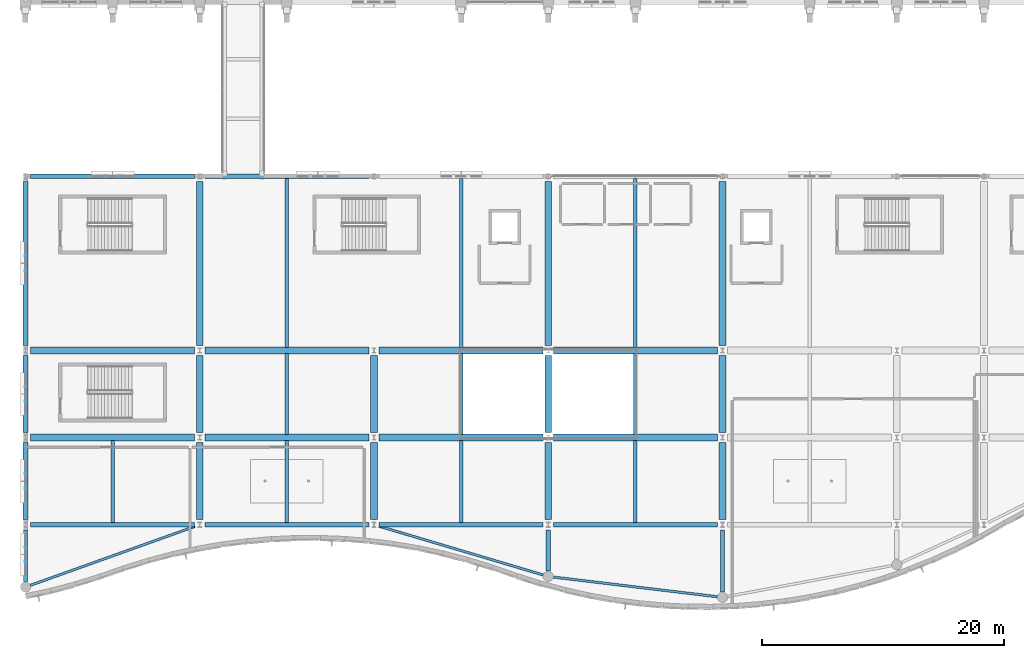
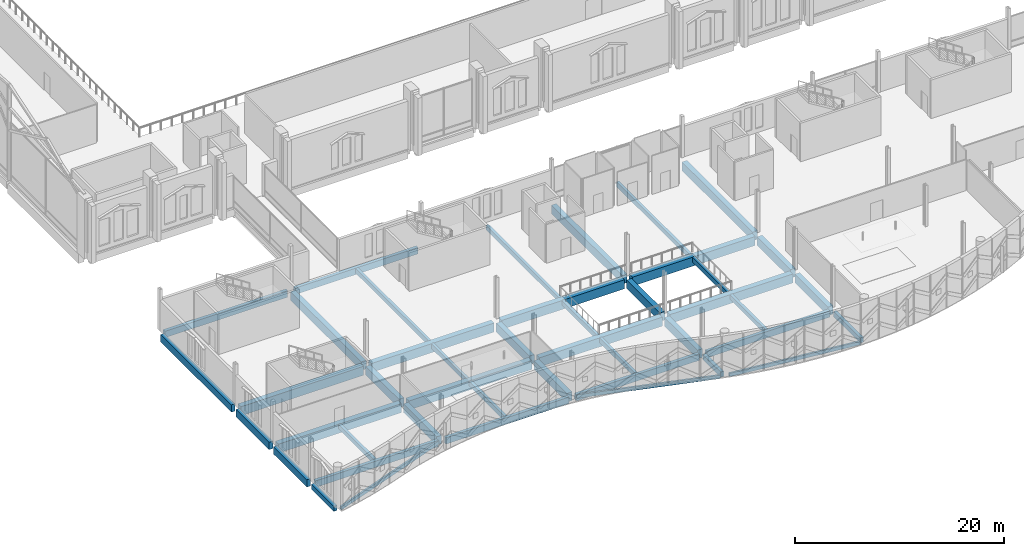
# One storey, part 24 of 220: 44 beams.
"""IFC4 building model written with IfcOpenShell, lengths in metres."""

from ifc_helpers import new_model, si_unit, direction, frame, origin, origin_2d, place, context, subcontext, project, spatial, rectangle, hollow_rectangle, extrude, material, material_profile, profile_set, type_object, element, save


model = new_model("IFC4")

# Units and contexts
model_context = context("Model", 3, precision=1e-05, world=origin(), true_north=direction((0.0, 1.0)))
body_context = subcontext(model_context, "Body", "Model", "MODEL_VIEW")
ifc_project = project(units=[si_unit("LENGTHUNIT", "METRE"), si_unit("AREAUNIT", "SQUARE_METRE"), si_unit("VOLUMEUNIT", "CUBIC_METRE"), si_unit("PLANEANGLEUNIT", "RADIAN"), si_unit("MASSUNIT", "GRAM", prefix="KILO")], contexts=[model_context])

# Site, building, storey
site_placement = place(None, origin())
site = spatial("IfcSite", under=ifc_project, at=site_placement, CompositionType="ELEMENT")
building_placement = place(site_placement, origin())
building = spatial("IfcBuilding", under=site, at=building_placement, Name="Cendralis Lancet Convention Centre", CompositionType="ELEMENT")
storey_placement = place(building_placement, frame((0.0, 0.0, 5.39990234375)))
storey = spatial("IfcBuildingStorey", under=building, at=storey_placement, Name="L01", CompositionType="ELEMENT", Elevation=5.39990234375)

# Beams
ifc_material_1 = material(Name="Concrete G40 (C40/50)", Category="concrete")
ifc_material_profile_1 = material_profile(ifc_material_1, rectangle(XDim=0.60009765625, YDim=1.050048828125, at=origin_2d()), Name="RCB 600x1050")
ifc_profile_set_1 = profile_set([ifc_material_profile_1], Name="Concrete G40 (C40/50)")
beam_type_1 = type_object("IfcBeamType", Name="STR-BM-BG03", PredefinedType="BEAM", material=ifc_profile_set_1)
for number, where, z_axis, x_axis, name in (
    (1, (0.425048828125, 14.39990234375, -0.804931640625), (1.0, 0.0, 0.0), (0.0, 1.0, 0.0), "L01 Beam BG03 #0742"),
    (2, (14.824951171875, 14.39990234375, -0.804931640625), (1.0, 0.0, 0.0), (0.0, 1.0, 0.0), "L01 Beam BG03 #0743"),
):
    element("IfcBeam", number, at=place(storey_placement, frame(where, z_axis=z_axis, x_axis=x_axis)), inside=storey, type_object=beam_type_1, Name=name, PredefinedType="BEAM", context=body_context, shape_type="SweptSolid", body=[
        extrude(rectangle(XDim=0.60009765625, YDim=1.050048828125, at=origin_2d()), origin(), (0.0, 0.0, 1.0), 13.550048828125),
    ])
beam_1_placement = place(storey_placement, frame((29.22509765625, 14.39990234375, -0.804931640625), z_axis=(1.0, 0.0, 0.0), x_axis=(0.0, 1.0, 0.0)))
element("IfcBeam", 3, at=beam_1_placement, inside=storey, type_object=beam_type_1, Name="L01 Beam BG03 #0744", PredefinedType="BEAM", context=body_context, shape_type="SweptSolid", body=[
    extrude(rectangle(XDim=0.60009765625, YDim=1.050048828125, at=origin_2d()), origin(), (0.0, 0.0, 1.0), 13.5498046875),
])
for number, where, z_axis, x_axis, name in (
    (4, (43.625, 14.39990234375, -0.804931640625), (1.0, 0.0, 0.0), (0.0, 1.0, 0.0), "L01 Beam BG03 #0745"),
    (5, (0.425048828125, 21.60009765625, -0.804931640625), (1.0, 0.0, 0.0), (0.0, 1.0, 0.0), "L01 Beam BG03 #0752"),
    (6, (14.824951171875, 21.60009765625, -0.804931640625), (1.0, 0.0, 0.0), (0.0, 1.0, 0.0), "L01 Beam BG03 #0753"),
):
    element("IfcBeam", number, at=place(storey_placement, frame(where, z_axis=z_axis, x_axis=x_axis)), inside=storey, type_object=beam_type_1, Name=name, PredefinedType="BEAM", context=body_context, shape_type="SweptSolid", body=[
        extrude(rectangle(XDim=0.60009765625, YDim=1.050048828125, at=origin_2d()), origin(), (0.0, 0.0, 1.0), 13.550048828125),
    ])
beam_2_placement = place(storey_placement, frame((29.22509765625, 21.60009765625, -0.804931640625), z_axis=(1.0, 0.0, 0.0), x_axis=(0.0, 1.0, 0.0)))
element("IfcBeam", 7, at=beam_2_placement, inside=storey, type_object=beam_type_1, Name="L01 Beam BG03 #0754", PredefinedType="BEAM", context=body_context, shape_type="SweptSolid", body=[
    extrude(rectangle(XDim=0.60009765625, YDim=1.050048828125, at=origin_2d()), origin(), (0.0, 0.0, 1.0), 13.5498046875),
])
beam_3_placement = place(storey_placement, frame((43.625, 21.60009765625, -0.804931640625), z_axis=(1.0, 0.0, 0.0), x_axis=(0.0, 1.0, 0.0)))
element("IfcBeam", 8, at=beam_3_placement, inside=storey, type_object=beam_type_1, Name="L01 Beam BG03 #0755", PredefinedType="BEAM", context=body_context, shape_type="SweptSolid", body=[
    extrude(rectangle(XDim=0.60009765625, YDim=1.050048828125, at=origin_2d()), origin(), (0.0, 0.0, 1.0), 13.550048828125),
])
ifc_material_profile_2 = material_profile(ifc_material_1, rectangle(XDim=0.550048828125, YDim=1.0, at=origin_2d()), Name="RCB 550x1000")
ifc_profile_set_2 = profile_set([ifc_material_profile_2], Name="Concrete G40 (C40/50)")
beam_type_2 = type_object("IfcBeamType", Name="STR-BM-BG05", PredefinedType="BEAM", material=ifc_profile_set_2)
for number, where, z_axis, x_axis, name in (
    (9, (14.39990234375, 7.625, -0.77978515625), (0.0, 1.0, 0.0), (-1.0, 0.0, 0.0), "L01 Beam BG05 #0775"),
    (10, (14.39990234375, 14.824951171875, -0.77978515625), (0.0, 1.0, 0.0), (-1.0, 0.0, 0.0), "L01 Beam BG05 #0776"),
):
    element("IfcBeam", number, at=place(storey_placement, frame(where, z_axis=z_axis, x_axis=x_axis)), inside=storey, type_object=beam_type_2, Name=name, PredefinedType="BEAM", context=body_context, shape_type="SweptSolid", body=[
        extrude(rectangle(XDim=0.550048828125, YDim=1.0, at=origin_2d()), origin(), (0.0, 0.0, 1.0), 6.35009765625),
    ])
beam_4_placement = place(storey_placement, frame((14.39990234375, 22.02490234375, -0.77978515625), z_axis=(0.0, 1.0, 0.0), x_axis=(-1.0, 0.0, 0.0)))
element("IfcBeam", 11, at=beam_4_placement, inside=storey, type_object=beam_type_2, Name="L01 Beam BG05 #0777", PredefinedType="BEAM", context=body_context, shape_type="SweptSolid", body=[
    extrude(rectangle(XDim=0.550048828125, YDim=1.0, at=origin_2d()), origin(), (0.0, 0.0, 1.0), 13.550048828125),
])
for number, where, z_axis, x_axis, name in (
    (12, (28.800048828125, 7.625, -0.77978515625), (0.0, 1.0, 0.0), (-1.0, 0.0, 0.0), "L01 Beam BG05 #0778"),
    (13, (28.800048828125, 14.824951171875, -0.77978515625), (0.0, 1.0, 0.0), (-1.0, 0.0, 0.0), "L01 Beam BG05 #0779"),
    (14, (43.199951171875, 7.625, -0.77978515625), (0.0, 1.0, 0.0), (-1.0, 0.0, 0.0), "L01 Beam BG05 #0780"),
    (15, (43.199951171875, 14.824951171875, -0.77978515625), (0.0, 1.0, 0.0), (-1.0, 0.0, 0.0), "L01 Beam BG05 #0781"),
):
    element("IfcBeam", number, at=place(storey_placement, frame(where, z_axis=z_axis, x_axis=x_axis)), inside=storey, type_object=beam_type_2, Name=name, PredefinedType="BEAM", context=body_context, shape_type="SweptSolid", body=[
        extrude(rectangle(XDim=0.550048828125, YDim=1.0, at=origin_2d()), origin(), (0.0, 0.0, 1.0), 6.35009765625),
    ])
beam_5_placement = place(storey_placement, frame((43.199951171875, 22.02490234375, -0.77978515625), z_axis=(0.0, 1.0, 0.0), x_axis=(-1.0, 0.0, 0.0)))
element("IfcBeam", 16, at=beam_5_placement, inside=storey, type_object=beam_type_2, Name="L01 Beam BG05 #0782", PredefinedType="BEAM", context=body_context, shape_type="SweptSolid", body=[
    extrude(rectangle(XDim=0.550048828125, YDim=1.0, at=origin_2d()), origin(), (0.0, 0.0, 1.0), 13.550048828125),
])
for number, where, z_axis, x_axis, name in (
    (17, (57.60009765625, 7.625, -0.77978515625), (0.0, 1.0, 0.0), (-1.0, 0.0, 0.0), "L01 Beam BG05 #0783"),
    (18, (57.60009765625, 14.824951171875, -0.77978515625), (0.0, 1.0, 0.0), (-1.0, 0.0, 0.0), "L01 Beam BG05 #0784"),
):
    element("IfcBeam", number, at=place(storey_placement, frame(where, z_axis=z_axis, x_axis=x_axis)), inside=storey, type_object=beam_type_2, Name=name, PredefinedType="BEAM", context=body_context, shape_type="SweptSolid", body=[
        extrude(rectangle(XDim=0.550048828125, YDim=1.0, at=origin_2d()), origin(), (0.0, 0.0, 1.0), 6.35009765625),
    ])
beam_6_placement = place(storey_placement, frame((57.60009765625, 22.02490234375, -0.77978515625), z_axis=(0.0, 1.0, 0.0), x_axis=(-1.0, 0.0, 0.0)))
element("IfcBeam", 19, at=beam_6_placement, inside=storey, type_object=beam_type_2, Name="L01 Beam BG05 #0785", PredefinedType="BEAM", context=body_context, shape_type="SweptSolid", body=[
    extrude(rectangle(XDim=0.550048828125, YDim=1.0, at=origin_2d()), origin(), (0.0, 0.0, 1.0), 13.550048828125),
])
ifc_material_2 = material(Name="Concrete G35 (C35/45)", Category="concrete")
ifc_material_profile_3 = material_profile(ifc_material_2, rectangle(XDim=0.35009765625, YDim=0.60009765625, at=origin_2d()), Name="RCB 350x600")
ifc_profile_set_3 = profile_set([ifc_material_profile_3], Name="Concrete G35 (C35/45)")
beam_type_3 = type_object("IfcBeamType", Name="STR-BM-BG16", PredefinedType="BEAM", material=ifc_profile_set_3)
beam_7_placement = place(storey_placement, frame((0.0, 2.495361328125, -0.579833984375), z_axis=(0.0, 1.0, 0.0), x_axis=(-1.0, 0.0, 0.0)))
element("IfcBeam", 20, at=beam_7_placement, inside=storey, type_object=beam_type_3, Name="L01 Beam BG16 #1047", PredefinedType="BEAM", context=body_context, shape_type="SweptSolid", body=[
    extrude(rectangle(XDim=0.35009765625, YDim=0.60009765625, at=origin_2d()), origin(), (0.0, 0.0, 1.0), 4.279541015625),
])
beam_8_placement = place(storey_placement, frame((43.199951171875, 3.37158203125, -0.579833984375), z_axis=(0.0, 1.0, 0.0), x_axis=(-1.0, 0.0, 0.0)))
element("IfcBeam", 21, at=beam_8_placement, inside=storey, type_object=beam_type_3, Name="L01 Beam BG16 #1048", PredefinedType="BEAM", context=body_context, shape_type="SweptSolid", body=[
    extrude(rectangle(XDim=0.35009765625, YDim=0.60009765625, at=origin_2d()), origin(), (0.0, 0.0, 1.0), 3.4033203125),
])
beam_9_placement = place(storey_placement, frame((57.60009765625, 1.64501953125, -0.579833984375), z_axis=(0.0, 1.0, 0.0), x_axis=(-1.0, 0.0, 0.0)))
element("IfcBeam", 22, at=beam_9_placement, inside=storey, type_object=beam_type_3, Name="L01 Beam BG16 #1049", PredefinedType="BEAM", context=body_context, shape_type="SweptSolid", body=[
    extrude(rectangle(XDim=0.35009765625, YDim=0.60009765625, at=origin_2d()), origin(), (0.0, 0.0, 1.0), 5.1298828125),
])
ifc_material_profile_4 = material_profile(ifc_material_2, rectangle(XDim=0.300048828125, YDim=0.550048828125, at=origin_2d()), Name="RCB 300x550")
ifc_profile_set_4 = profile_set([ifc_material_profile_4], Name="Concrete G35 (C35/45)")
beam_type_4 = type_object("IfcBeamType", Name="STR-JS-BJ02", PredefinedType="JOIST", material=ifc_profile_set_4)
for number, where, z_axis, x_axis, name in (
    (23, (7.199951171875, 7.375, -0.554931640625), (0.0, 1.0, 0.0), (-1.0, 0.0, 0.0), "L01 Beam BJ02 #0799"),
    (24, (21.60009765625, 7.375, -0.554931640625), (0.0, 1.0, 0.0), (-1.0, 0.0, 0.0), "L01 Beam BJ02 #0800"),
):
    element("IfcBeam", number, at=place(storey_placement, frame(where, z_axis=z_axis, x_axis=x_axis)), inside=storey, type_object=beam_type_4, Name=name, PredefinedType="JOIST", context=body_context, shape_type="SweptSolid", body=[
        extrude(rectangle(XDim=0.300048828125, YDim=0.550048828125, at=origin_2d()), origin(), (0.0, 0.0, 1.0), 6.77490234375),
    ])
beam_10_placement = place(storey_placement, frame((21.60009765625, 14.64990234375, -0.554931640625), z_axis=(0.0, 1.0, 0.0), x_axis=(-1.0, 0.0, 0.0)))
element("IfcBeam", 25, at=beam_10_placement, inside=storey, type_object=beam_type_4, Name="L01 Beam BJ02 #0801", PredefinedType="JOIST", context=body_context, shape_type="SweptSolid", body=[
    extrude(rectangle(XDim=0.300048828125, YDim=0.550048828125, at=origin_2d()), origin(), (0.0, 0.0, 1.0), 6.7001953125),
])
beam_11_placement = place(storey_placement, frame((21.60009765625, 21.85009765625, -0.554931640625), z_axis=(0.0, 1.0, 0.0), x_axis=(-1.0, 0.0, 0.0)))
element("IfcBeam", 26, at=beam_11_placement, inside=storey, type_object=beam_type_4, Name="L01 Beam BJ02 #0802", PredefinedType="JOIST", context=body_context, shape_type="SweptSolid", body=[
    extrude(rectangle(XDim=0.300048828125, YDim=0.550048828125, at=origin_2d()), origin(), (0.0, 0.0, 1.0), 13.974853515625),
])
beam_12_placement = place(storey_placement, frame((36.0, 7.375, -0.554931640625), z_axis=(0.0, 1.0, 0.0), x_axis=(-1.0, 0.0, 0.0)))
element("IfcBeam", 27, at=beam_12_placement, inside=storey, type_object=beam_type_4, Name="L01 Beam BJ02 #0803", PredefinedType="JOIST", context=body_context, shape_type="SweptSolid", body=[
    extrude(rectangle(XDim=0.300048828125, YDim=0.550048828125, at=origin_2d()), origin(), (0.0, 0.0, 1.0), 6.77490234375),
])
beam_13_placement = place(storey_placement, frame((36.0, 14.64990234375, -0.554931640625), z_axis=(0.0, 1.0, 0.0), x_axis=(-1.0, 0.0, 0.0)))
element("IfcBeam", 28, at=beam_13_placement, inside=storey, type_object=beam_type_4, Name="L01 Beam BJ02 #0804", PredefinedType="JOIST", context=body_context, shape_type="SweptSolid", body=[
    extrude(rectangle(XDim=0.300048828125, YDim=0.550048828125, at=origin_2d()), origin(), (0.0, 0.0, 1.0), 6.7001953125),
])
beam_14_placement = place(storey_placement, frame((36.0, 21.85009765625, -0.554931640625), z_axis=(0.0, 1.0, 0.0), x_axis=(-1.0, 0.0, 0.0)))
element("IfcBeam", 29, at=beam_14_placement, inside=storey, type_object=beam_type_4, Name="L01 Beam BJ02 #0805", PredefinedType="JOIST", context=body_context, shape_type="SweptSolid", body=[
    extrude(rectangle(XDim=0.300048828125, YDim=0.550048828125, at=origin_2d()), origin(), (0.0, 0.0, 1.0), 13.974853515625),
])
beam_15_placement = place(storey_placement, frame((50.39990234375, 7.375, -0.554931640625), z_axis=(0.0, 1.0, 0.0), x_axis=(-1.0, 0.0, 0.0)))
element("IfcBeam", 30, at=beam_15_placement, inside=storey, type_object=beam_type_4, Name="L01 Beam BJ02 #0806", PredefinedType="JOIST", context=body_context, shape_type="SweptSolid", body=[
    extrude(rectangle(XDim=0.300048828125, YDim=0.550048828125, at=origin_2d()), origin(), (0.0, 0.0, 1.0), 6.77490234375),
])
beam_16_placement = place(storey_placement, frame((50.39990234375, 14.64990234375, -0.554931640625), z_axis=(0.0, 1.0, 0.0), x_axis=(-1.0, 0.0, 0.0)))
element("IfcBeam", 31, at=beam_16_placement, inside=storey, type_object=beam_type_4, Name="L01 Beam BJ02 #0807", PredefinedType="JOIST", context=body_context, shape_type="SweptSolid", body=[
    extrude(rectangle(XDim=0.300048828125, YDim=0.550048828125, at=origin_2d()), origin(), (0.0, 0.0, 1.0), 6.7001953125),
])
beam_17_placement = place(storey_placement, frame((50.39990234375, 21.85009765625, -0.554931640625), z_axis=(0.0, 1.0, 0.0), x_axis=(-1.0, 0.0, 0.0)))
element("IfcBeam", 32, at=beam_17_placement, inside=storey, type_object=beam_type_4, Name="L01 Beam BJ02 #0808", PredefinedType="JOIST", context=body_context, shape_type="SweptSolid", body=[
    extrude(rectangle(XDim=0.300048828125, YDim=0.550048828125, at=origin_2d()), origin(), (0.0, 0.0, 1.0), 13.974853515625),
])
ifc_material_profile_5 = material_profile(ifc_material_1, rectangle(XDim=0.35009765625, YDim=0.75, at=origin_2d()), Name="RCB 350x750")
ifc_profile_set_5 = profile_set([ifc_material_profile_5], Name="Concrete G40 (C40/50)")
beam_type_5 = type_object("IfcBeamType", Name="STR-SP-SP01", PredefinedType="SPANDREL", material=ifc_profile_set_5)
for number, where, z_axis, x_axis, name in (
    (33, (0.425048828125, 7.199951171875, -0.65478515625), (1.0, 0.0, 0.0), (0.0, 1.0, 0.0), "L01 Beam SP01 #0736"),
    (34, (14.824951171875, 7.199951171875, -0.65478515625), (1.0, 0.0, 0.0), (0.0, 1.0, 0.0), "L01 Beam SP01 #0737"),
):
    element("IfcBeam", number, at=place(storey_placement, frame(where, z_axis=z_axis, x_axis=x_axis)), inside=storey, type_object=beam_type_5, Name=name, PredefinedType="SPANDREL", context=body_context, shape_type="SweptSolid", body=[
        extrude(rectangle(XDim=0.35009765625, YDim=0.75, at=origin_2d()), origin(), (0.0, 0.0, 1.0), 13.550048828125),
    ])
beam_18_placement = place(storey_placement, frame((29.22509765625, 7.199951171875, -0.65478515625), z_axis=(1.0, 0.0, 0.0), x_axis=(0.0, 1.0, 0.0)))
element("IfcBeam", 35, at=beam_18_placement, inside=storey, type_object=beam_type_5, Name="L01 Beam SP01 #0738", PredefinedType="SPANDREL", context=body_context, shape_type="SweptSolid", body=[
    extrude(rectangle(XDim=0.35009765625, YDim=0.75, at=origin_2d()), origin(), (0.0, 0.0, 1.0), 13.5498046875),
])
for number, where, z_axis, x_axis, name in (
    (36, (43.625, 7.199951171875, -0.65478515625), (1.0, 0.0, 0.0), (0.0, 1.0, 0.0), "L01 Beam SP01 #0739"),
    (37, (0.425048828125, 36.0, -0.65478515625), (1.0, 0.0, 0.0), (0.0, 1.0, 0.0), "L01 Beam SP01 #0762"),
    (38, (14.824951171875, 36.0, -0.65478515625), (1.0, 0.0, 0.0), (0.0, 1.0, 0.0), "L01 Beam SP01 #0763"),
):
    element("IfcBeam", number, at=place(storey_placement, frame(where, z_axis=z_axis, x_axis=x_axis)), inside=storey, type_object=beam_type_5, Name=name, PredefinedType="SPANDREL", context=body_context, shape_type="SweptSolid", body=[
        extrude(rectangle(XDim=0.35009765625, YDim=0.75, at=origin_2d()), origin(), (0.0, 0.0, 1.0), 13.550048828125),
    ])
ifc_material_profile_6 = material_profile(ifc_material_1, rectangle(XDim=0.39990234375, YDim=0.85009765625, at=origin_2d()), Name="RCB 400x850")
ifc_profile_set_6 = profile_set([ifc_material_profile_6], Name="Concrete G40 (C40/50)")
beam_type_6 = type_object("IfcBeamType", Name="STR-SP-SP02", PredefinedType="SPANDREL", material=ifc_profile_set_6)
for number, where, z_axis, x_axis, name in (
    (39, (0.0, 7.625, -0.704833984375), (0.0, 1.0, 0.0), (-1.0, 0.0, 0.0), "L01 Beam SP02 #0772"),
    (40, (0.0, 14.824951171875, -0.704833984375), (0.0, 1.0, 0.0), (-1.0, 0.0, 0.0), "L01 Beam SP02 #0773"),
):
    element("IfcBeam", number, at=place(storey_placement, frame(where, z_axis=z_axis, x_axis=x_axis)), inside=storey, type_object=beam_type_6, Name=name, PredefinedType="SPANDREL", context=body_context, shape_type="SweptSolid", body=[
        extrude(rectangle(XDim=0.39990234375, YDim=0.85009765625, at=origin_2d()), origin(), (0.0, 0.0, 1.0), 6.35009765625),
    ])
beam_19_placement = place(storey_placement, frame((0.0, 22.02490234375, -0.704833984375), z_axis=(0.0, 1.0, 0.0), x_axis=(-1.0, 0.0, 0.0)))
element("IfcBeam", 41, at=beam_19_placement, inside=storey, type_object=beam_type_6, Name="L01 Beam SP02 #0774", PredefinedType="SPANDREL", context=body_context, shape_type="SweptSolid", body=[
    extrude(rectangle(XDim=0.39990234375, YDim=0.85009765625, at=origin_2d()), origin(), (0.0, 0.0, 1.0), 13.550048828125),
])
ifc_material_3 = material(Name="Steel S355", Category="steel")
ifc_material_profile_7 = material_profile(ifc_material_3, hollow_rectangle(XDim=0.199951171875, YDim=0.39990234375, WallThickness=0.01416015625, at=origin_2d()), Name="RHS 400x200x14.2")
ifc_profile_set_7 = profile_set([ifc_material_profile_7], Name="Steel S355")
beam_type_7 = type_object("IfcBeamType", Name="STR-SP-SP03", PredefinedType="SPANDREL", material=ifc_profile_set_7)
beam_20_placement = place(storey_placement, frame((0.423583984375, 2.197021484375, -0.47998046875), z_axis=(0.941496895481, 0.337021654794, 0.0), x_axis=(-0.337021654794, 0.941496895481, 0.0)))
element("IfcBeam", 42, at=beam_20_placement, inside=storey, type_object=beam_type_7, Name="L01 Beam SP03 #1059", PredefinedType="SPANDREL", context=body_context, shape_type="SweptSolid", body=[
    extrude(hollow_rectangle(XDim=0.199951171875, YDim=0.39990234375, WallThickness=0.01416015625, at=origin_2d()), origin(), (0.0, 0.0, 1.0), 14.419921875),
])
beam_21_placement = place(storey_placement, frame((29.20751953125, 7.0791015625, -0.47998046875), z_axis=(0.958581954614, -0.284816846919, 0.0), x_axis=(0.284816846919, 0.958581954614, 0.0)))
element("IfcBeam", 43, at=beam_21_placement, inside=storey, type_object=beam_type_7, Name="L01 Beam SP03 #1060", PredefinedType="SPANDREL", context=body_context, shape_type="SweptSolid", body=[
    extrude(hollow_rectangle(XDim=0.199951171875, YDim=0.39990234375, WallThickness=0.01416015625, at=origin_2d()), origin(), (0.0, 0.0, 1.0), 14.14697265625),
])
beam_22_placement = place(storey_placement, frame((43.646728515625, 2.867919921875, -0.47998046875), z_axis=(0.992891183356, -0.119025619146, 0.0), x_axis=(0.119025619146, 0.992891183356, 0.0)))
element("IfcBeam", 44, at=beam_22_placement, inside=storey, type_object=beam_type_7, Name="L01 Beam SP03 #1061", PredefinedType="SPANDREL", context=body_context, shape_type="SweptSolid", body=[
    extrude(hollow_rectangle(XDim=0.199951171875, YDim=0.39990234375, WallThickness=0.01416015625, at=origin_2d()), origin(), (0.0, 0.0, 1.0), 13.603271484375),
])

save(model, "model.ifc")
